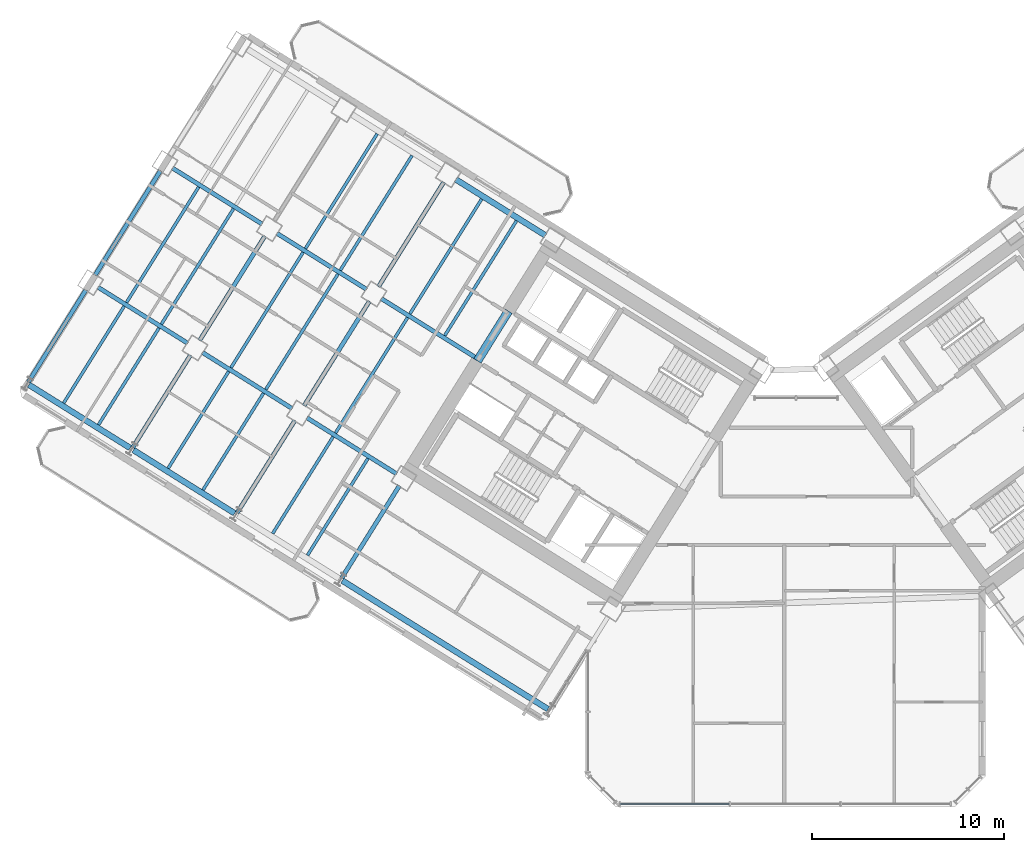
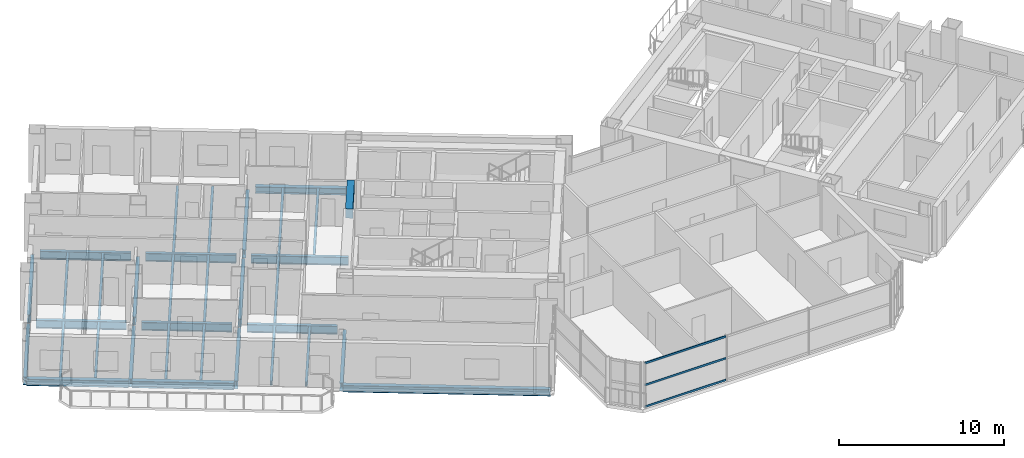
# One storey, part 6 of 24: 34 beams, 3 members, 1 element without a shape of its own.
"""IFC4 building model written with IfcOpenShell, lengths in metres."""

from ifc_helpers import new_model, si_unit, direction, frame, origin, origin_2d, place, context, subcontext, project, spatial, rectangle, hollow_rectangle, i_section, extrude, source, transform, mapped, material, material_profile, profile_set, type_object, element, aggregate, save


model = new_model("IFC4")

# Units and contexts
model_context = context("Model", 3, precision=1e-05, world=origin(), true_north=direction((0.0, 1.0)))
body_context = subcontext(model_context, "Body", "Model", "MODEL_VIEW")
ifc_project = project(units=[si_unit("LENGTHUNIT", "METRE"), si_unit("AREAUNIT", "SQUARE_METRE"), si_unit("VOLUMEUNIT", "CUBIC_METRE"), si_unit("PLANEANGLEUNIT", "RADIAN"), si_unit("MASSUNIT", "GRAM", prefix="KILO")], contexts=[model_context])

# Site, building, storey
site_placement = place(None, origin())
site = spatial("IfcSite", under=ifc_project, at=site_placement, CompositionType="ELEMENT")
building_placement = place(site_placement, origin())
building = spatial("IfcBuilding", under=site, at=building_placement, Name="Tlacorven Tower", CompositionType="ELEMENT")
storey_placement = place(building_placement, frame((0.0, 0.0, 45.60009765625)))
storey = spatial("IfcBuildingStorey", under=building, at=storey_placement, Name="L11", CompositionType="ELEMENT", Elevation=45.60009765625)

# Beams
ifc_material_1 = material(Name="Concrete C60/75", Category="concrete")
ifc_material_profile_1 = material_profile(ifc_material_1, rectangle(XDim=0.449951171875, YDim=0.699951171875, at=origin_2d()), Name="RC 450X700")
ifc_profile_set_1 = profile_set([ifc_material_profile_1], Name="Concrete C60/75")
beam_type_1 = type_object("IfcBeamType", Name="BM-LNT-700", PredefinedType="LINTEL", material=ifc_profile_set_1)
shared_shape_1 = source(origin(), body_context, "Body", "SweptSolid", [
    extrude(rectangle(XDim=0.449951171875, YDim=0.699951171875, at=origin_2d()), origin(), (0.0, 0.0, 1.0), 3.0498046875),
])
beam_1_placement = place(storey_placement, frame((27.622802734375, 27.562255859375, 3.0), z_axis=(-0.529926983584, -0.848043272522, 0.0), x_axis=(0.848043272522, -0.529926983584, 0.0)))
element("IfcBeam", 1, at=beam_1_placement, inside=storey, type_object=beam_type_1, Name="L11 W core coupling lintel beam E2", PredefinedType="LINTEL", context=body_context, shape_type="MappedRepresentation", body=[
    mapped(shared_shape_1, transform((0.0, 0.0, 0.0), scale=1.0)),
])
ifc_material_2 = material(Name="Steel S355J2", Category="steel")
ifc_material_profile_2 = material_profile(ifc_material_2, i_section(OverallWidth=0.300048828125, OverallDepth=0.489990234375, WebThickness=0.011962890625, FlangeThickness=0.02294921875, at=origin_2d()), Name="HEA 500")
ifc_profile_set_2 = profile_set([ifc_material_profile_2], Name="Steel S355J2")
beam_type_2 = type_object("IfcBeamType", Name="BM-SPN-500", PredefinedType="SPANDREL", material=ifc_profile_set_2)
shared_shape_2 = source(origin(), body_context, "Body", "SweptSolid", [
    extrude(i_section(OverallWidth=0.300048828125, OverallDepth=0.489990234375, WebThickness=0.011962890625, FlangeThickness=0.02294921875, at=origin_2d()), origin(), (0.0, 0.0, 1.0), 5.5),
])
beam_2_placement = place(storey_placement, frame((29.54638671875, 31.48974609375, -0.4951171875), z_axis=(-0.848050668838, 0.52991514706, 0.0), x_axis=(-0.52991514706, -0.848050668838, 0.0)))
element("IfcBeam", 2, at=beam_2_placement, inside=storey, type_object=beam_type_2, Name="L11 beam BM-L11-WL1-3", PredefinedType="SPANDREL", context=body_context, shape_type="MappedRepresentation", body=[
    mapped(shared_shape_2, transform((0.0, 0.0, 0.0), scale=1.0)),
])
ifc_material_profile_3 = material_profile(ifc_material_2, i_section(OverallWidth=0.219970703125, OverallDepth=0.60009765625, WebThickness=0.011962890625, FlangeThickness=0.01904296875, at=origin_2d()), Name="IPE 600")
ifc_profile_set_3 = profile_set([ifc_material_profile_3], Name="Steel S355J2")
beam_type_3 = type_object("IfcBeamType", Name="BM-TWR-600", PredefinedType="BEAM", material=ifc_profile_set_3)
shared_shape_3 = source(origin(), body_context, "Body", "SweptSolid", [
    extrude(i_section(OverallWidth=0.219970703125, OverallDepth=0.60009765625, WebThickness=0.011962890625, FlangeThickness=0.01904296875, at=origin_2d()), origin(), (0.0, 0.0, 1.0), 5.909912109375),
])
beam_3_placement = place(storey_placement, frame((26.025634765625, 25.081787109375, -0.550048828125), z_axis=(-0.848047036595, 0.529920959883, 0.0), x_axis=(-0.529920959883, -0.848047036595, 0.0)))
element("IfcBeam", 3, at=beam_3_placement, inside=storey, type_object=beam_type_3, Name="L11 beam BM-L11-WL2-3", PredefinedType="BEAM", context=body_context, shape_type="MappedRepresentation", body=[
    mapped(shared_shape_3, transform((0.0, 0.0, 0.0), scale=1.0)),
])
shared_shape_4 = source(origin(), body_context, "Body", "SweptSolid", [
    extrude(i_section(OverallWidth=0.219970703125, OverallDepth=0.60009765625, WebThickness=0.011962890625, FlangeThickness=0.01904296875, at=origin_2d()), origin(), (0.0, 0.0, 1.0), 5.5),
])
for number, where, z_axis, x_axis, name in (
    (4, (20.25048828125, 28.690673828125, -0.550048828125), (-0.848050668838, 0.52991514706, 0.0), (-0.52991514706, -0.848050668838, 0.0), "L11 beam BM-L11-WL2-4"),
    (5, (14.822998046875, 32.08203125, -0.550048828125), (-0.848050668838, 0.52991514706, 0.0), (-0.52991514706, -0.848050668838, 0.0), "L11 beam BM-L11-WL2-5"),
    (6, (21.8095703125, 19.1083984375, -0.550048828125), (-0.848050668838, 0.52991514706, 0.0), (-0.52991514706, -0.848050668838, 0.0), "L11 beam BM-L11-WL3-3"),
    (7, (16.382080078125, 22.499755859375, -0.550048828125), (-0.848050668838, 0.52991514706, 0.0), (-0.52991514706, -0.848050668838, 0.0), "L11 beam BM-L11-WL3-4"),
    (8, (10.95458984375, 25.891357421875, -0.550048828125), (-0.848050668838, 0.52991514706, 0.0), (-0.52991514706, -0.848050668838, 0.0), "L11 beam BM-L11-WL3-5"),
):
    element("IfcBeam", number, at=place(storey_placement, frame(where, z_axis=z_axis, x_axis=x_axis)), inside=storey, type_object=beam_type_3, Name=name, PredefinedType="BEAM", context=body_context, shape_type="MappedRepresentation", body=[
        mapped(shared_shape_4, transform((0.0, 0.0, 0.0), scale=1.0)),
    ])
shared_shape_5 = source(origin(), body_context, "Body", "SweptSolid", [
    extrude(i_section(OverallWidth=0.300048828125, OverallDepth=0.489990234375, WebThickness=0.011962890625, FlangeThickness=0.02294921875, at=origin_2d()), origin(), (0.0, 0.0, 1.0), 12.599853515625),
])
beam_4_placement = place(storey_placement, frame((29.67578125, 6.882080078125, -0.4951171875), z_axis=(-0.848045108756, 0.529924045043, 0.0), x_axis=(-0.529924045043, -0.848045108756, 0.0)))
element("IfcBeam", 9, at=beam_4_placement, inside=storey, type_object=beam_type_2, Name="L11 beam BM-L11-WL4-1", PredefinedType="SPANDREL", context=body_context, shape_type="MappedRepresentation", body=[
    mapped(shared_shape_5, transform((0.0, 0.0, 0.0), scale=1.0)),
])
shared_shape_6 = source(origin(), body_context, "Body", "SweptSolid", [
    extrude(i_section(OverallWidth=0.300048828125, OverallDepth=0.489990234375, WebThickness=0.011962890625, FlangeThickness=0.02294921875, at=origin_2d()), origin(), (0.0, 0.0, 1.0), 6.199951171875),
])
for number, where, z_axis, x_axis, name in (
    (10, (13.393310546875, 17.056396484375, -0.4951171875), (-0.848033697614, 0.529942306022, 0.0), (-0.529942306022, -0.848033697614, 0.0), "L11 beam BM-L11-WL4-4"),
    (11, (7.9658203125, 20.447998046875, -0.4951171875), (-0.848051394107, 0.529913986372, 0.0), (-0.529913986372, -0.848051394107, 0.0), "L11 beam BM-L11-WL4-5"),
):
    element("IfcBeam", number, at=place(storey_placement, frame(where, z_axis=z_axis, x_axis=x_axis)), inside=storey, type_object=beam_type_2, Name=name, PredefinedType="SPANDREL", context=body_context, shape_type="MappedRepresentation", body=[
        mapped(shared_shape_6, transform((0.0, 0.0, 0.0), scale=1.0)),
    ])
shared_shape_7 = source(origin(), body_context, "Body", "SweptSolid", [
    extrude(i_section(OverallWidth=0.219970703125, OverallDepth=0.60009765625, WebThickness=0.011962890625, FlangeThickness=0.01904296875, at=origin_2d()), origin(), (0.0, 0.0, 1.0), 5.650146484375),
])
for number, where, z_axis, x_axis, name in (
    (12, (21.95263671875, 18.48828125, -0.550048828125), (-0.529929025184, -0.848041996759, 0.0), (0.848041996759, -0.529929025184, 0.0), "L11 beam BM-L11-WT3-2"),
    (13, (16.525146484375, 21.879638671875, -0.550048828125), (-0.529929025184, -0.848041996759, 0.0), (0.848041996759, -0.529929025184, 0.0), "L11 beam BM-L11-WT4-3"),
    (14, (11.09765625, 25.271240234375, -0.550048828125), (-0.529929025184, -0.848041996759, 0.0), (0.848041996759, -0.529929025184, 0.0), "L11 beam BM-L11-WT5-3"),
    (15, (5.670166015625, 28.66259765625, -0.550048828125), (-0.529929025184, -0.848041996759, 0.0), (0.848041996759, -0.529929025184, 0.0), "L11 beam BM-L11-WT6-3"),
):
    element("IfcBeam", number, at=place(storey_placement, frame(where, z_axis=z_axis, x_axis=x_axis)), inside=storey, type_object=beam_type_3, Name=name, PredefinedType="BEAM", context=body_context, shape_type="MappedRepresentation", body=[
        mapped(shared_shape_7, transform((0.0, 0.0, 0.0), scale=1.0)),
    ])
shared_shape_8 = source(origin(), body_context, "Body", "SweptSolid", [
    extrude(i_section(OverallWidth=0.219970703125, OverallDepth=0.60009765625, WebThickness=0.011962890625, FlangeThickness=0.01904296875, at=origin_2d()), origin(), (0.0, 0.0, 1.0), 6.39990234375),
])
for number, where, z_axis, x_axis, name in (
    (16, (24.261962890625, 34.26123046875, -0.550048828125), (-0.529906354247, -0.848056163074, 0.0), (0.848056163074, -0.529906354247, 0.0), "L11 beam BM-L11-WT4-1"),
    (17, (20.3935546875, 28.070556640625, -0.550048828125), (-0.529906354247, -0.848056163074, 0.0), (0.848056163074, -0.529906354247, 0.0), "L11 beam BM-L11-WT4-2"),
):
    element("IfcBeam", number, at=place(storey_placement, frame(where, z_axis=z_axis, x_axis=x_axis)), inside=storey, type_object=beam_type_3, Name=name, PredefinedType="BEAM", context=body_context, shape_type="MappedRepresentation", body=[
        mapped(shared_shape_8, transform((0.0, 0.0, 0.0), scale=1.0)),
    ])
shared_shape_9 = source(origin(), body_context, "Body", "SweptSolid", [
    extrude(i_section(OverallWidth=0.219970703125, OverallDepth=0.60009765625, WebThickness=0.011962890625, FlangeThickness=0.01904296875, at=origin_2d()), origin(), (0.0, 0.0, 1.0), 6.400146484375),
])
for number, where, z_axis, x_axis, name in (
    (18, (14.966064453125, 31.4619140625, -0.550048828125), (-0.529933789039, -0.848039019877, 0.0), (0.848039019877, -0.529933789039, 0.0), "L11 beam BM-L11-WT5-2"),
    (19, (9.53857421875, 34.853515625, -0.550048828125), (-0.529933789039, -0.848039019877, 0.0), (0.848039019877, -0.529933789039, 0.0), "L11 beam BM-L11-WT6-2"),
):
    element("IfcBeam", number, at=place(storey_placement, frame(where, z_axis=z_axis, x_axis=x_axis)), inside=storey, type_object=beam_type_3, Name=name, PredefinedType="BEAM", context=body_context, shape_type="MappedRepresentation", body=[
        mapped(shared_shape_9, transform((0.0, 0.0, 0.0), scale=1.0)),
    ])
ifc_material_profile_4 = material_profile(ifc_material_2, i_section(OverallWidth=0.159912109375, OverallDepth=0.330078125, WebThickness=0.007568359375, FlangeThickness=0.011474609375, at=origin_2d()), Name="IPE 330")
ifc_profile_set_4 = profile_set([ifc_material_profile_4], Name="Steel S355J2")
beam_type_4 = type_object("IfcBeamType", Name="BM-JST-330", PredefinedType="JOIST", material=ifc_profile_set_4)
shared_shape_10 = source(origin(), body_context, "Body", "SweptSolid", [
    extrude(i_section(OverallWidth=0.159912109375, OverallDepth=0.330078125, WebThickness=0.007568359375, FlangeThickness=0.011474609375, at=origin_2d()), origin(), (0.0, 0.0, 1.0), 7.030029296875),
])
for number, where, z_axis, x_axis, name in (
    (20, (28.03662109375, 32.25048828125, -0.4150390625), (-0.529911532383, -0.848052927504, 0.0), (0.848052927504, -0.529911532383, 0.0), "L11 beam BM-L11-WJ3-1-1"),
    (21, (26.2275390625, 33.380859375, -0.4150390625), (-0.529927139185, -0.84804317529, 0.0), (0.84804317529, -0.529927139185, 0.0), "L11 beam BM-L11-WJ3-1-2"),
    (22, (22.609130859375, 35.641845703125, -0.4150390625), (-0.529927139185, -0.84804317529, 0.0), (0.84804317529, -0.529927139185, 0.0), "L11 beam BM-L11-WJ4-1-1"),
    (23, (20.800048828125, 36.7724609375, -0.4150390625), (-0.529911532383, -0.848052927504, 0.0), (0.848052927504, -0.529911532383, 0.0), "L11 beam BM-L11-WJ4-1-2"),
):
    element("IfcBeam", number, at=place(storey_placement, frame(where, z_axis=z_axis, x_axis=x_axis)), inside=storey, type_object=beam_type_4, Name=name, PredefinedType="JOIST", context=body_context, shape_type="MappedRepresentation", body=[
        mapped(shared_shape_10, transform((0.0, 0.0, 0.0), scale=1.0)),
    ])
shared_shape_11 = source(origin(), body_context, "Body", "SweptSolid", [
    extrude(i_section(OverallWidth=0.159912109375, OverallDepth=0.330078125, WebThickness=0.007568359375, FlangeThickness=0.011474609375, at=origin_2d()), origin(), (0.0, 0.0, 1.0), 5.93017578125),
])
for number, where, z_axis, x_axis, name in (
    (24, (20.321044921875, 19.90283203125, -0.4150390625), (-0.529899018132, -0.848060746989, 0.0), (0.848060746989, -0.529899018132, 0.0), "L11 beam BM-L11-WJ3-3-1"),
    (25, (18.51171875, 21.033447265625, -0.4150390625), (-0.529899018132, -0.848060746989, 0.0), (0.848060746989, -0.529899018132, 0.0), "L11 beam BM-L11-WJ3-3-2"),
    (26, (9.466064453125, 26.685791015625, -0.4150390625), (-0.529928626913, -0.848042245633, 0.0), (0.848042245633, -0.529928626913, 0.0), "L11 beam BM-L11-WJ5-3-1"),
    (27, (7.65673828125, 27.81640625, -0.4150390625), (-0.529899018132, -0.848060746989, 0.0), (0.848060746989, -0.529899018132, 0.0), "L11 beam BM-L11-WJ5-3-2"),
):
    element("IfcBeam", number, at=place(storey_placement, frame(where, z_axis=z_axis, x_axis=x_axis)), inside=storey, type_object=beam_type_4, Name=name, PredefinedType="JOIST", context=body_context, shape_type="MappedRepresentation", body=[
        mapped(shared_shape_11, transform((0.0, 0.0, 0.0), scale=1.0)),
    ])
shared_shape_12 = source(origin(), body_context, "Body", "SweptSolid", [
    extrude(i_section(OverallWidth=0.159912109375, OverallDepth=0.330078125, WebThickness=0.007568359375, FlangeThickness=0.011474609375, at=origin_2d()), origin(), (0.0, 0.0, 1.0), 7.070068359375),
])
for number, where, z_axis, x_axis, name in (
    (28, (22.380126953125, 27.22412109375, -0.4150390625), (-0.529890296319, -0.84806619663, 0.0), (0.84806619663, -0.529890296319, 0.0), "L11 beam BM-L11-WJ3-2-2"),
    (29, (18.761962890625, 29.485107421875, -0.4150390625), (-0.529915131461, -0.848050678585, 0.0), (0.848050678585, -0.529915131461, 0.0), "L11 beam BM-L11-WJ4-2-1"),
    (30, (13.33447265625, 32.87646484375, -0.4150390625), (-0.529930649952, -0.848040981463, 0.0), (0.848040981463, -0.529930649952, 0.0), "L11 beam BM-L11-WJ5-2-1"),
    (31, (11.525146484375, 34.007080078125, -0.4150390625), (-0.529930649952, -0.848040981463, 0.0), (0.848040981463, -0.529930649952, 0.0), "L11 beam BM-L11-WJ5-2-2"),
):
    element("IfcBeam", number, at=place(storey_placement, frame(where, z_axis=z_axis, x_axis=x_axis)), inside=storey, type_object=beam_type_4, Name=name, PredefinedType="JOIST", context=body_context, shape_type="MappedRepresentation", body=[
        mapped(shared_shape_12, transform((0.0, 0.0, 0.0), scale=1.0)),
    ])
shared_shape_13 = source(origin(), body_context, "Body", "SweptSolid", [
    extrude(i_section(OverallWidth=0.159912109375, OverallDepth=0.330078125, WebThickness=0.007568359375, FlangeThickness=0.011474609375, at=origin_2d()), origin(), (0.0, 0.0, 1.0), 5.929931640625),
])
for number, where, z_axis, x_axis, name in (
    (32, (14.8935546875, 23.294189453125, -0.4150390625), (-0.529917519894, -0.848049186138, 0.0), (0.848049186138, -0.529917519894, 0.0), "L11 beam BM-L11-WJ4-3-1"),
    (33, (13.084228515625, 24.4248046875, -0.4150390625), (-0.529917519894, -0.848049186138, 0.0), (0.848049186138, -0.529917519894, 0.0), "L11 beam BM-L11-WJ4-3-2"),
):
    element("IfcBeam", number, at=place(storey_placement, frame(where, z_axis=z_axis, x_axis=x_axis)), inside=storey, type_object=beam_type_4, Name=name, PredefinedType="JOIST", context=body_context, shape_type="MappedRepresentation", body=[
        mapped(shared_shape_13, transform((0.0, 0.0, 0.0), scale=1.0)),
    ])
shared_shape_14 = source(origin(), body_context, "Body", "SweptSolid", [
    extrude(i_section(OverallWidth=0.159912109375, OverallDepth=0.330078125, WebThickness=0.007568359375, FlangeThickness=0.011474609375, at=origin_2d()), origin(), (0.0, 0.0, 1.0), 7.06982421875),
])
beam_5_placement = place(storey_placement, frame((16.95263671875, 30.615478515625, -0.4150390625), z_axis=(-0.52990581465, -0.84805650024, 0.0), x_axis=(0.84805650024, -0.52990581465, 0.0)))
element("IfcBeam", 34, at=beam_5_placement, inside=storey, type_object=beam_type_4, Name="L11 beam BM-L11-WJ4-2-2", PredefinedType="JOIST", context=body_context, shape_type="MappedRepresentation", body=[
    mapped(shared_shape_14, transform((0.0, 0.0, 0.0), scale=1.0)),
])

# Curtain wall, members
ifc_material_3 = material(Name="Dark solar low-E double glazing in aluminium frame", Category="aluminium")
curtain_wall_type = type_object("IfcCurtainWallType", Name="CW-TWR-LOW", PredefinedType="USERDEFINED", material=ifc_material_3)
curtain_wall_placement = place(storey_placement, origin())
curtain_wall = element("IfcCurtainWall", 35, at=curtain_wall_placement, inside=storey, type_object=curtain_wall_type, Name="L11 CW-TWR-LOW Curtain Wall 58", ObjectType="UNITISED CURTAIN WALL", PredefinedType="USERDEFINED")
ifc_material_4 = material(Name="Aluminium 6063-T6 anodised", Category="aluminium")
ifc_material_profile_5 = material_profile(ifc_material_4, hollow_rectangle(XDim=0.06005859375, YDim=0.139892578125, WallThickness=0.00390625, at=origin_2d()), Name="ALU TRANSOM 60X140")
ifc_profile_set_5 = profile_set([ifc_material_profile_5], Name="Aluminium 6063-T6 anodised")
member_type = type_object("IfcMemberType", Name="CWT-02", PredefinedType="USERDEFINED", material=ifc_profile_set_5)
shared_shape_15 = source(origin(), body_context, "Body", "SweptSolid", [
    extrude(hollow_rectangle(XDim=0.06005859375, YDim=0.139892578125, WallThickness=0.00390625, at=origin_2d()), origin(), (0.0, 0.0, 1.0), 5.6748046875),
])
member_1_placement = place(storey_placement, frame((39.09912109375, 1.9599609375, 0.06982421875), z_axis=(-1.0, 0.0, 0.0), x_axis=(0.0, -1.0, 0.0)))
member_1 = element("IfcMember", 36, at=member_1_placement, type_object=member_type, Name="CW-L11-058 Transom 7", ObjectType="TRANSOM", PredefinedType="USERDEFINED", context=body_context, shape_type="MappedRepresentation", body=[
    mapped(shared_shape_15, transform((0.0, 0.0, 0.0), scale=1.0)),
])
member_2_placement = place(storey_placement, frame((39.09912109375, 1.9599609375, 1.6748046875), z_axis=(-1.0, 0.0, 0.0), x_axis=(0.0, -1.0, 0.0)))
member_2 = element("IfcMember", 37, at=member_2_placement, type_object=member_type, Name="CW-L11-058 Transom 8", ObjectType="TRANSOM", PredefinedType="USERDEFINED", context=body_context, shape_type="MappedRepresentation", body=[
    mapped(shared_shape_15, transform((0.0, 0.0, 0.0), scale=1.0)),
])
member_3_placement = place(storey_placement, frame((39.09912109375, 1.9599609375, 3.27978515625), z_axis=(-1.0, 0.0, 0.0), x_axis=(0.0, -1.0, 0.0)))
member_3 = element("IfcMember", 38, at=member_3_placement, type_object=member_type, Name="CW-L11-058 Transom 9", ObjectType="TRANSOM", PredefinedType="USERDEFINED", context=body_context, shape_type="MappedRepresentation", body=[
    mapped(shared_shape_15, transform((0.0, 0.0, 0.0), scale=1.0)),
])
aggregate(curtain_wall, [member_1, member_2, member_3])

save(model, "model.ifc")
